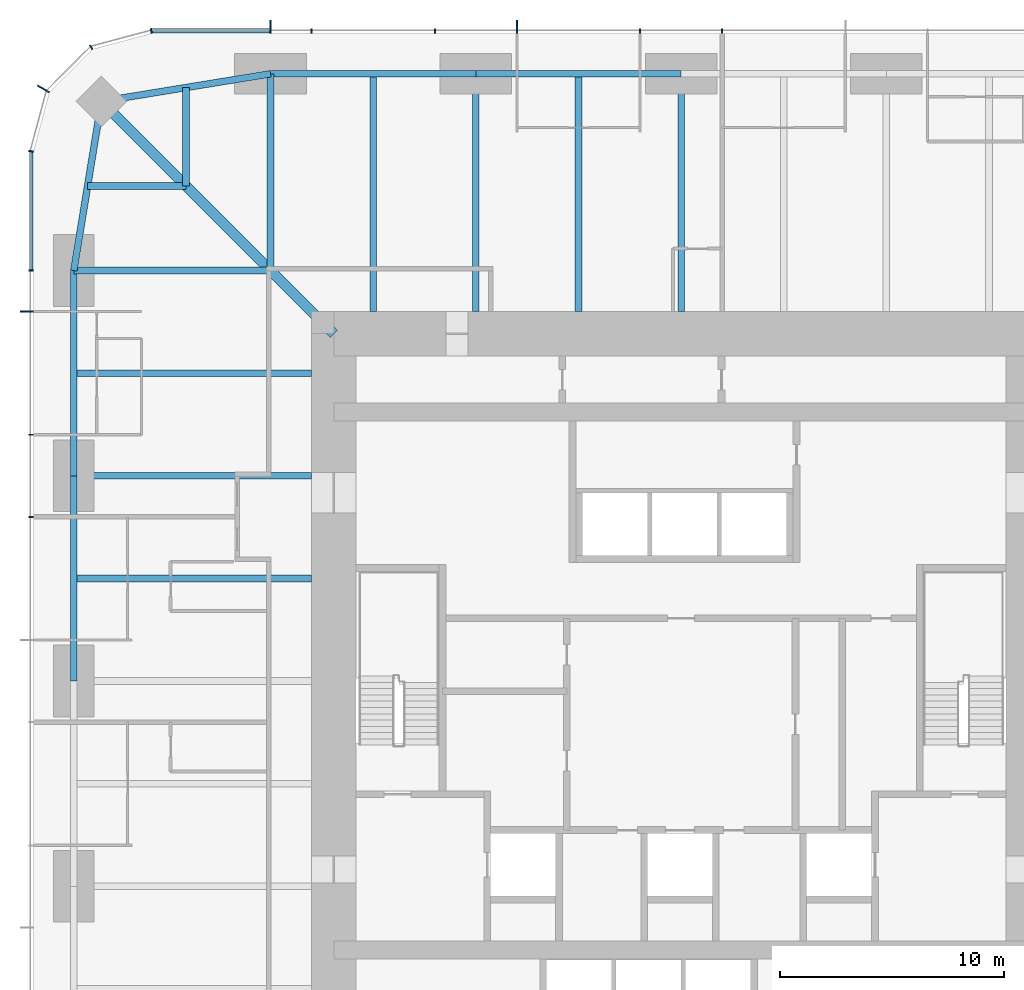
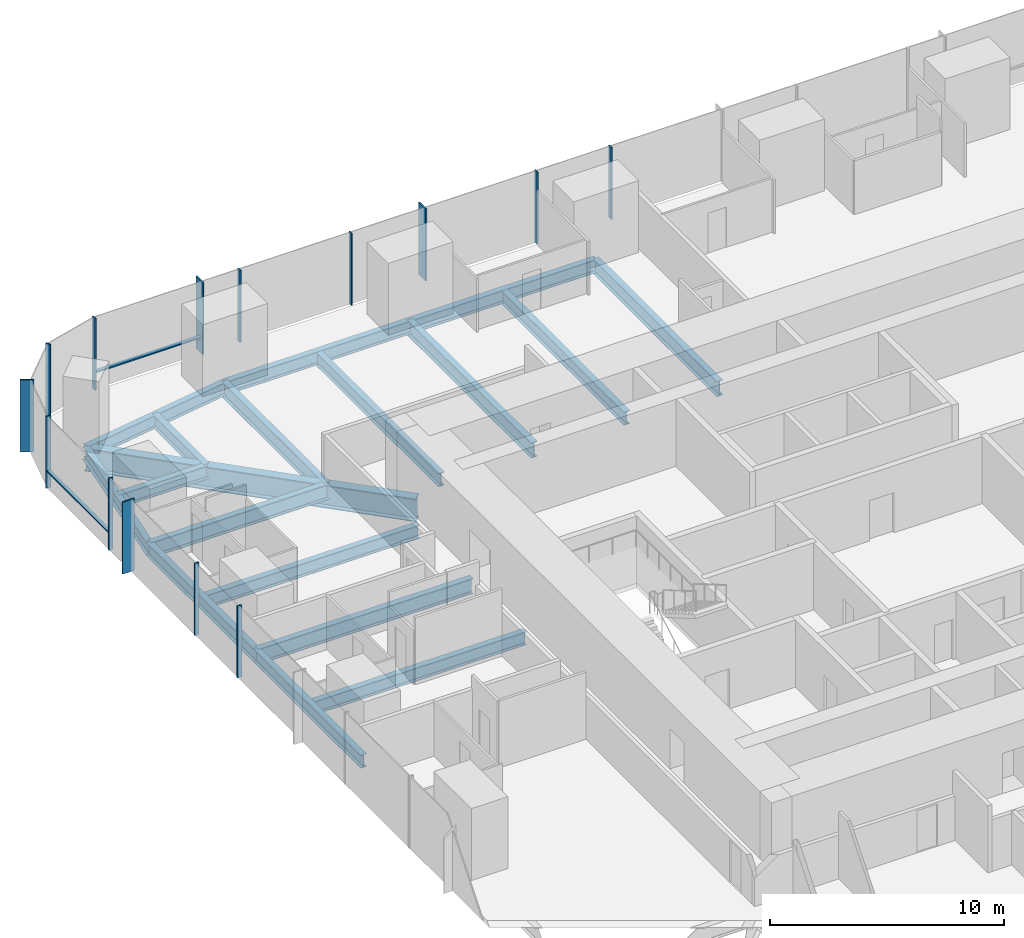
# One storey, part 5 of 13: 18 beams, 16 members, 3 elements without a shape of their own.
"""IFC4 building model written with IfcOpenShell, lengths in metres."""

from ifc_helpers import new_model, si_unit, direction, frame, origin, origin_2d, place, context, subcontext, project, spatial, rectangle, i_section, extrude, material, material_profile, profile_set, type_object, element, aggregate, save


model = new_model("IFC4")

# Units and contexts
model_context = context("Model", 3, precision=1e-05, world=origin(), true_north=direction((0.0, 1.0)))
body_context = subcontext(model_context, "Body", "Model", "MODEL_VIEW")
ifc_project = project(units=[si_unit("LENGTHUNIT", "METRE"), si_unit("AREAUNIT", "SQUARE_METRE"), si_unit("VOLUMEUNIT", "CUBIC_METRE"), si_unit("PLANEANGLEUNIT", "RADIAN"), si_unit("MASSUNIT", "GRAM", prefix="KILO")], contexts=[model_context])

# Site, building, storey
site_placement = place(None, origin())
site = spatial("IfcSite", under=ifc_project, at=site_placement, CompositionType="ELEMENT")
building_placement = place(site_placement, origin())
building = spatial("IfcBuilding", under=site, at=building_placement, Name="Khuree Lantern Residences", CompositionType="ELEMENT")
storey_placement = place(building_placement, frame((0.0, 0.0, 133.5)))
storey = spatial("IfcBuildingStorey", under=building, at=storey_placement, Name="L33", CompositionType="ELEMENT", Elevation=133.5)

# Beams
ifc_material_1 = material(Name="Steel S355", Category="steel")
ifc_material_profile_1 = material_profile(ifc_material_1, i_section(OverallWidth=0.300048828125, OverallDepth=0.68994140625, WebThickness=0.014404296875, FlangeThickness=0.027099609375, FilletRadius=0.027099609375, at=origin_2d()), Name="HE 700 A")
ifc_profile_set_1 = profile_set([ifc_material_profile_1], Name="Steel S355")
beam_type_1 = type_object("IfcBeamType", Name="B-22 SECONDARY BEAM HE 700 A", PredefinedType="BEAM", material=ifc_profile_set_1)
for number, where, z_axis, x_axis, name in (
    (1, (-13.739990234375, 27.10009765625, -0.594970703125), (0.0, -1.0, 0.0), (1.0, 0.0, 0.0), "Secondary beam N1"),
    (2, (-4.580078125, 27.10009765625, -0.594970703125), (0.0, -1.0, 0.0), (1.0, 0.0, 0.0), "Secondary beam N2"),
    (3, (-27.10009765625, 4.580078125, -0.594970703125), (1.0, 0.0, 0.0), (0.0, 1.0, 0.0), "Secondary beam W4"),
    (4, (-27.10009765625, 13.739990234375, -0.594970703125), (1.0, 0.0, 0.0), (0.0, 1.0, 0.0), "Secondary beam W5"),
):
    element("IfcBeam", number, at=place(storey_placement, frame(where, z_axis=z_axis, x_axis=x_axis)), inside=storey, type_object=beam_type_1, Name=name, PredefinedType="BEAM", context=body_context, shape_type="SweptSolid", body=[
        extrude(i_section(OverallWidth=0.300048828125, OverallDepth=0.68994140625, WebThickness=0.014404296875, FlangeThickness=0.027099609375, FilletRadius=0.027099609375, at=origin_2d()), origin(), (0.0, 0.0, 1.0), 10.60009765625),
    ])
for number, where, z_axis, x_axis, name in (
    (5, (-26.48486328125, 22.094970703125, -0.594970703125), (1.0, 0.0, 0.0), (0.0, 1.0, 0.0), "Secondary beam W6"),
    (6, (-22.094970703125, 26.48486328125, -0.594970703125), (0.0, -1.0, 0.0), (1.0, 0.0, 0.0), "Secondary beam N6"),
):
    element("IfcBeam", number, at=place(storey_placement, frame(where, z_axis=z_axis, x_axis=x_axis)), inside=storey, type_object=beam_type_1, Name=name, PredefinedType="BEAM", context=body_context, shape_type="SweptSolid", body=[
        extrude(i_section(OverallWidth=0.300048828125, OverallDepth=0.68994140625, WebThickness=0.014404296875, FlangeThickness=0.027099609375, FilletRadius=0.027099609375, at=origin_2d()), origin(), (0.0, 0.0, 1.0), 4.389892578125),
    ])
ifc_material_profile_2 = material_profile(ifc_material_1, i_section(OverallWidth=0.300048828125, OverallDepth=0.68994140625, WebThickness=0.014404296875, FlangeThickness=0.027099609375, FilletRadius=0.027099609375, at=origin_2d()), Name="HE 700 A")
ifc_profile_set_2 = profile_set([ifc_material_profile_2], Name="Steel S355")
beam_type_2 = type_object("IfcBeamType", Name="E-22 SPANDREL BEAM HE 700 A", PredefinedType="SPANDREL", material=ifc_profile_set_2)
beam_1_placement = place(storey_placement, frame((-18.320068359375, 27.10009765625, -0.594970703125), z_axis=(1.0, 0.0, 0.0), x_axis=(0.0, 1.0, 0.0)))
element("IfcBeam", 7, at=beam_1_placement, inside=storey, type_object=beam_type_2, Name="Spandrel beam N1", PredefinedType="SPANDREL", context=body_context, shape_type="SweptSolid", body=[
    extrude(i_section(OverallWidth=0.300048828125, OverallDepth=0.68994140625, WebThickness=0.014404296875, FlangeThickness=0.027099609375, FilletRadius=0.027099609375, at=origin_2d()), origin(), (0.0, 0.0, 1.0), 9.16015625),
])
for number, where, z_axis, x_axis, name in (
    (8, (-9.159912109375, 27.10009765625, -0.594970703125), (1.0, 0.0, 0.0), (0.0, 1.0, 0.0), "Spandrel beam N2"),
    (9, (-27.10009765625, 0.0, -0.594970703125), (0.0, 1.0, 0.0), (-1.0, 0.0, 0.0), "Spandrel beam W4"),
):
    element("IfcBeam", number, at=place(storey_placement, frame(where, z_axis=z_axis, x_axis=x_axis)), inside=storey, type_object=beam_type_2, Name=name, PredefinedType="SPANDREL", context=body_context, shape_type="SweptSolid", body=[
        extrude(i_section(OverallWidth=0.300048828125, OverallDepth=0.68994140625, WebThickness=0.014404296875, FlangeThickness=0.027099609375, FilletRadius=0.027099609375, at=origin_2d()), origin(), (0.0, 0.0, 1.0), 9.159912109375),
    ])
beam_2_placement = place(storey_placement, frame((-27.10009765625, 9.159912109375, -0.594970703125), z_axis=(0.0, 1.0, 0.0), x_axis=(-1.0, 0.0, 0.0)))
element("IfcBeam", 10, at=beam_2_placement, inside=storey, type_object=beam_type_2, Name="Spandrel beam W5", PredefinedType="SPANDREL", context=body_context, shape_type="SweptSolid", body=[
    extrude(i_section(OverallWidth=0.300048828125, OverallDepth=0.68994140625, WebThickness=0.014404296875, FlangeThickness=0.027099609375, FilletRadius=0.027099609375, at=origin_2d()), origin(), (0.0, 0.0, 1.0), 9.16015625),
])
for number, where, z_axis, x_axis, name in (
    (11, (-27.10009765625, 18.320068359375, -0.594970703125), (0.160826723833, 0.986982656839, 0.0), (-0.986982656839, 0.160826723833, 0.0), "Spandrel beam W6"),
    (12, (-25.869873046875, 25.869873046875, -0.594970703125), (0.986982656839, 0.160826723833, 0.0), (-0.160826723833, 0.986982656839, 0.0), "Spandrel beam N6"),
):
    element("IfcBeam", number, at=place(storey_placement, frame(where, z_axis=z_axis, x_axis=x_axis)), inside=storey, type_object=beam_type_2, Name=name, PredefinedType="SPANDREL", context=body_context, shape_type="SweptSolid", body=[
        extrude(i_section(OverallWidth=0.300048828125, OverallDepth=0.68994140625, WebThickness=0.014404296875, FlangeThickness=0.027099609375, FilletRadius=0.027099609375, at=origin_2d()), origin(), (0.0, 0.0, 1.0), 7.6494140625),
    ])

# Curtain wall, members
ifc_material_2 = material(Name="Bronze anodised aluminium", Category="aluminium")
curtain_wall_type_1 = type_object("IfcCurtainWallType", Name="CW-T1 TOWER FACE CURTAIN WALL", PredefinedType="USERDEFINED", material=ifc_material_2)
curtain_wall_1_placement = place(storey_placement, origin())
curtain_wall_1 = element("IfcCurtainWall", 13, at=curtain_wall_1_placement, inside=storey, type_object=curtain_wall_type_1, Name="L33 NORTH FACE CURTAIN WALL", ObjectType="Stick-built curtain wall", PredefinedType="USERDEFINED")
ifc_material_profile_3 = material_profile(ifc_material_2, rectangle(XDim=0.06494140625, YDim=0.60009765625, at=origin_2d()), Name="F1 65X600")
ifc_profile_set_3 = profile_set([ifc_material_profile_3], Name="Bronze anodised aluminium")
member_type_1 = type_object("IfcMemberType", Name="F1 BRONZE FIN MULLION TOWER 65X600", PredefinedType="MULLION", material=ifc_profile_set_3)
member_1_placement = place(storey_placement, frame((-7.327880859375, 29.199951171875, 0.0), z_axis=(0.0, 0.0, 1.0), x_axis=(-1.0, 0.0, 0.0)))
member_1 = element("IfcMember", 14, at=member_1_placement, type_object=member_type_1, Name="L33 NORTH FACE FIN MULLION 25", PredefinedType="MULLION", context=body_context, shape_type="SweptSolid", body=[
    extrude(rectangle(XDim=0.06494140625, YDim=0.60009765625, at=origin_2d()), origin(), (0.0, 0.0, 1.0), 3.75),
])
member_2_placement = place(storey_placement, frame((-18.320068359375, 29.199951171875, 0.0), z_axis=(0.0, 0.0, 1.0), x_axis=(-1.0, 0.0, 0.0)))
member_2 = element("IfcMember", 15, at=member_2_placement, type_object=member_type_1, Name="L33 NORTH FACE FIN MULLION 28", PredefinedType="MULLION", context=body_context, shape_type="SweptSolid", body=[
    extrude(rectangle(XDim=0.06494140625, YDim=0.60009765625, at=origin_2d()), origin(), (0.0, 0.0, 1.0), 3.75),
])

# Curtain wall, member
curtain_wall_type_2 = type_object("IfcCurtainWallType", Name="CW-T2 TOWER CORNER CURTAIN WALL", PredefinedType="USERDEFINED", material=ifc_material_2)
curtain_wall_2_placement = place(storey_placement, origin())
curtain_wall_2 = element("IfcCurtainWall", 16, at=curtain_wall_2_placement, inside=storey, type_object=curtain_wall_type_2, Name="L33 NORTH-WEST CORNER CURTAIN WALL", ObjectType="Faceted corner curtain wall", PredefinedType="USERDEFINED")
member_3_placement = place(storey_placement, frame((-28.45654296875, 26.425048828125, 0.0), z_axis=(0.0, 0.0, 1.0), x_axis=(-0.500000026995, -0.866025388199, 0.0)))
member_3 = element("IfcMember", 17, at=member_3_placement, type_object=member_type_1, Name="L33 NORTH-WEST CORNER FIN MULLION 31", PredefinedType="MULLION", context=body_context, shape_type="SweptSolid", body=[
    extrude(rectangle(XDim=0.06494140625, YDim=0.60009765625, at=origin_2d()), origin(), (0.0, 0.0, 1.0), 3.75),
])

curtain_wall_3_placement = place(storey_placement, origin())
curtain_wall_3 = element("IfcCurtainWall", 18, at=curtain_wall_3_placement, inside=storey, type_object=curtain_wall_type_1, Name="L33 WEST FACE CURTAIN WALL", ObjectType="Stick-built curtain wall", PredefinedType="USERDEFINED")
member_4_placement = place(storey_placement, frame((-29.199951171875, 16.488037109375, 0.0), z_axis=(0.0, 0.0, 1.0), x_axis=(0.0, -1.0, 0.0)))
member_4 = element("IfcMember", 19, at=member_4_placement, type_object=member_type_1, Name="L33 WEST FACE FIN MULLION 34", PredefinedType="MULLION", context=body_context, shape_type="SweptSolid", body=[
    extrude(rectangle(XDim=0.06494140625, YDim=0.60009765625, at=origin_2d()), origin(), (0.0, 0.0, 1.0), 3.75),
])

# Beams
ifc_material_profile_4 = material_profile(ifc_material_1, i_section(OverallWidth=0.300048828125, OverallDepth=0.800048828125, WebThickness=0.017578125, FlangeThickness=0.032958984375, FilletRadius=0.030029296875, at=origin_2d()), Name="HE 800 B")
ifc_profile_set_4 = profile_set([ifc_material_profile_4], Name="Steel S355")
beam_type_3 = type_object("IfcBeamType", Name="G-22 GIRDER HE 800 B", PredefinedType="BEAM", material=ifc_profile_set_4)
beam_3_placement = place(storey_placement, frame((-18.320068359375, 27.10009765625, -0.64990234375), z_axis=(0.0, -1.0, 0.0), x_axis=(1.0, 0.0, 0.0)))
element("IfcBeam", 20, at=beam_3_placement, inside=storey, type_object=beam_type_3, Name="Girder N1", PredefinedType="BEAM", context=body_context, shape_type="SweptSolid", body=[
    extrude(i_section(OverallWidth=0.300048828125, OverallDepth=0.800048828125, WebThickness=0.017578125, FlangeThickness=0.032958984375, FilletRadius=0.030029296875, at=origin_2d()), origin(), (0.0, 0.0, 1.0), 8.780029296875),
])
for number, where, z_axis, x_axis, name in (
    (21, (-9.159912109375, 27.10009765625, -0.64990234375), (0.0, -1.0, 0.0), (1.0, 0.0, 0.0), "Girder N2"),
    (22, (0.0, 27.10009765625, -0.64990234375), (0.0, -1.0, 0.0), (1.0, 0.0, 0.0), "Girder N3"),
    (23, (-27.10009765625, 9.159912109375, -0.64990234375), (1.0, 0.0, 0.0), (0.0, 1.0, 0.0), "Girder W4"),
):
    element("IfcBeam", number, at=place(storey_placement, frame(where, z_axis=z_axis, x_axis=x_axis)), inside=storey, type_object=beam_type_3, Name=name, PredefinedType="BEAM", context=body_context, shape_type="SweptSolid", body=[
        extrude(i_section(OverallWidth=0.300048828125, OverallDepth=0.800048828125, WebThickness=0.017578125, FlangeThickness=0.032958984375, FilletRadius=0.030029296875, at=origin_2d()), origin(), (0.0, 0.0, 1.0), 10.60009765625),
    ])
beam_4_placement = place(storey_placement, frame((-27.10009765625, 18.320068359375, -0.64990234375), z_axis=(1.0, 0.0, 0.0), x_axis=(0.0, 1.0, 0.0)))
element("IfcBeam", 24, at=beam_4_placement, inside=storey, type_object=beam_type_3, Name="Girder W5", PredefinedType="BEAM", context=body_context, shape_type="SweptSolid", body=[
    extrude(i_section(OverallWidth=0.300048828125, OverallDepth=0.800048828125, WebThickness=0.017578125, FlangeThickness=0.032958984375, FilletRadius=0.030029296875, at=origin_2d()), origin(), (0.0, 0.0, 1.0), 8.780029296875),
])
ifc_material_profile_5 = material_profile(ifc_material_1, i_section(OverallWidth=0.449951171875, OverallDepth=1.199951171875, WebThickness=0.02490234375, FlangeThickness=0.044921875, at=origin_2d()), Name="WELDED I 1200X450X25X45")
ifc_profile_set_5 = profile_set([ifc_material_profile_5], Name="Steel S355")
beam_type_4 = type_object("IfcBeamType", Name="GD-22 CORNER GIRDER WELDED I 1200X450X25X45", PredefinedType="BEAM", material=ifc_profile_set_5)
beam_5_placement = place(storey_placement, frame((-25.869873046875, 25.869873046875, -0.85009765625), z_axis=(0.707106781187, -0.707106781187, 0.0), x_axis=(0.707106781187, 0.707106781187, 0.0)))
element("IfcBeam", 25, at=beam_5_placement, inside=storey, type_object=beam_type_4, Name="Corner girder NW", PredefinedType="BEAM", context=body_context, shape_type="SweptSolid", body=[
    extrude(i_section(OverallWidth=0.449951171875, OverallDepth=1.199951171875, WebThickness=0.02490234375, FlangeThickness=0.044921875, at=origin_2d()), origin(), (0.0, 0.0, 1.0), 14.665283203125),
])

# Member
ifc_material_profile_6 = material_profile(ifc_material_2, rectangle(XDim=0.06494140625, YDim=0.219970703125, at=origin_2d()), Name="M1 65X220")
ifc_profile_set_6 = profile_set([ifc_material_profile_6], Name="Bronze anodised aluminium")
member_type_2 = type_object("IfcMemberType", Name="M1 BRONZE MULLION TOWER 65X220", PredefinedType="MULLION", material=ifc_profile_set_6)
member_5_placement = place(storey_placement, frame((1.83203125, 29.010009765625, 0.0), z_axis=(0.0, 0.0, 1.0), x_axis=(-1.0, 0.0, 0.0)))
member_5 = element("IfcMember", 26, at=member_5_placement, type_object=member_type_2, Name="L33 NORTH FACE MULLION 23", PredefinedType="MULLION", context=body_context, shape_type="SweptSolid", body=[
    extrude(rectangle(XDim=0.06494140625, YDim=0.219970703125, at=origin_2d()), origin(), (0.0, 0.0, 1.0), 3.75),
])

member_6_placement = place(storey_placement, frame((-1.83203125, 29.010009765625, 0.0), z_axis=(0.0, 0.0, 1.0), x_axis=(-1.0, 0.0, 0.0)))
member_6 = element("IfcMember", 27, at=member_6_placement, type_object=member_type_2, Name="L33 NORTH FACE MULLION 24", PredefinedType="MULLION", context=body_context, shape_type="SweptSolid", body=[
    extrude(rectangle(XDim=0.06494140625, YDim=0.219970703125, at=origin_2d()), origin(), (0.0, 0.0, 1.0), 3.75),
])

member_7_placement = place(storey_placement, frame((-10.991943359375, 29.010009765625, 0.0), z_axis=(0.0, 0.0, 1.0), x_axis=(-1.0, 0.0, 0.0)))
member_7 = element("IfcMember", 28, at=member_7_placement, type_object=member_type_2, Name="L33 NORTH FACE MULLION 26", PredefinedType="MULLION", context=body_context, shape_type="SweptSolid", body=[
    extrude(rectangle(XDim=0.06494140625, YDim=0.219970703125, at=origin_2d()), origin(), (0.0, 0.0, 1.0), 3.75),
])

member_8_placement = place(storey_placement, frame((-16.488037109375, 29.010009765625, 0.0), z_axis=(0.0, 0.0, 1.0), x_axis=(-1.0, 0.0, 0.0)))
member_8 = element("IfcMember", 29, at=member_8_placement, type_object=member_type_2, Name="L33 NORTH FACE MULLION 27", PredefinedType="MULLION", context=body_context, shape_type="SweptSolid", body=[
    extrude(rectangle(XDim=0.06494140625, YDim=0.219970703125, at=origin_2d()), origin(), (0.0, 0.0, 1.0), 3.75),
])

member_9_placement = place(storey_placement, frame((-23.64501953125, 29.01171875, 0.0), z_axis=(0.0, 0.0, 1.0), x_axis=(-0.991444857305, -0.130526223125, 0.0)))
member_9 = element("IfcMember", 30, at=member_9_placement, type_object=member_type_2, Name="L33 NORTH-WEST CORNER MULLION 29", PredefinedType="MULLION", context=body_context, shape_type="SweptSolid", body=[
    extrude(rectangle(XDim=0.06494140625, YDim=0.219970703125, at=origin_2d()), origin(), (0.0, 0.0, 1.0), 3.75),
])

member_10_placement = place(storey_placement, frame((-26.330078125, 28.2919921875, 0.0), z_axis=(0.0, 0.0, 1.0), x_axis=(-0.866025388199, -0.500000026995, 0.0)))
member_10 = element("IfcMember", 31, at=member_10_placement, type_object=member_type_2, Name="L33 NORTH-WEST CORNER MULLION 30", PredefinedType="MULLION", context=body_context, shape_type="SweptSolid", body=[
    extrude(rectangle(XDim=0.06494140625, YDim=0.219970703125, at=origin_2d()), origin(), (0.0, 0.0, 1.0), 3.75),
])

aggregate(curtain_wall_2, [member_9, member_10, member_3])

member_11_placement = place(storey_placement, frame((-29.01171875, 23.64501953125, 0.0), z_axis=(0.0, 0.0, 1.0), x_axis=(-0.130526223125, -0.991444857305, 0.0)))
member_11 = element("IfcMember", 32, at=member_11_placement, type_object=member_type_2, Name="L33 WEST FACE MULLION 32", PredefinedType="MULLION", context=body_context, shape_type="SweptSolid", body=[
    extrude(rectangle(XDim=0.06494140625, YDim=0.219970703125, at=origin_2d()), origin(), (0.0, 0.0, 1.0), 3.75),
])

member_12_placement = place(storey_placement, frame((-29.010009765625, 18.320068359375, 0.0), z_axis=(0.0, 0.0, 1.0), x_axis=(0.0, -1.0, 0.0)))
member_12 = element("IfcMember", 33, at=member_12_placement, type_object=member_type_2, Name="L33 WEST FACE MULLION 33", PredefinedType="MULLION", context=body_context, shape_type="SweptSolid", body=[
    extrude(rectangle(XDim=0.06494140625, YDim=0.219970703125, at=origin_2d()), origin(), (0.0, 0.0, 1.0), 3.75),
])

member_13_placement = place(storey_placement, frame((-29.010009765625, 10.991943359375, 0.0), z_axis=(0.0, 0.0, 1.0), x_axis=(0.0, -1.0, 0.0)))
member_13 = element("IfcMember", 34, at=member_13_placement, type_object=member_type_2, Name="L33 WEST FACE MULLION 35", PredefinedType="MULLION", context=body_context, shape_type="SweptSolid", body=[
    extrude(rectangle(XDim=0.06494140625, YDim=0.219970703125, at=origin_2d()), origin(), (0.0, 0.0, 1.0), 3.75),
])

member_14_placement = place(storey_placement, frame((-29.010009765625, 7.327880859375, 0.0), z_axis=(0.0, 0.0, 1.0), x_axis=(0.0, -1.0, 0.0)))
member_14 = element("IfcMember", 35, at=member_14_placement, type_object=member_type_2, Name="L33 WEST FACE MULLION 36", PredefinedType="MULLION", context=body_context, shape_type="SweptSolid", body=[
    extrude(rectangle(XDim=0.06494140625, YDim=0.219970703125, at=origin_2d()), origin(), (0.0, 0.0, 1.0), 3.75),
])

ifc_material_profile_7 = material_profile(ifc_material_2, rectangle(XDim=0.179931640625, YDim=0.06494140625, at=origin_2d()), Name="T1 180X65")
ifc_profile_set_7 = profile_set([ifc_material_profile_7], Name="Bronze anodised aluminium")
member_type_3 = type_object("IfcMemberType", Name="TRANSOM T1 TOWER 180X65", PredefinedType="USERDEFINED", material=ifc_profile_set_7)
member_15_placement = place(storey_placement, frame((-18.3525390625, 29.02001953125, 0.89990234375), z_axis=(-1.0, 0.0, 0.0), x_axis=(0.0, -1.0, 0.0)))
member_15 = element("IfcMember", 36, at=member_15_placement, type_object=member_type_3, Name="L33 NORTH FACE TRANSOM 28.1", ObjectType="Transom", PredefinedType="USERDEFINED", context=body_context, shape_type="SweptSolid", body=[
    extrude(rectangle(XDim=0.179931640625, YDim=0.06494140625, at=origin_2d()), origin(), (0.0, 0.0, 1.0), 5.248779296875),
])

aggregate(curtain_wall_1, [member_5, member_6, member_1, member_7, member_8, member_2, member_15])

member_16_placement = place(storey_placement, frame((-29.02001953125, 23.601318359375, 0.89990234375), z_axis=(0.0, -1.0, 0.0), x_axis=(1.0, 0.0, 0.0)))
member_16 = element("IfcMember", 37, at=member_16_placement, type_object=member_type_3, Name="L33 WEST FACE TRANSOM 32.1", ObjectType="Transom", PredefinedType="USERDEFINED", context=body_context, shape_type="SweptSolid", body=[
    extrude(rectangle(XDim=0.179931640625, YDim=0.06494140625, at=origin_2d()), origin(), (0.0, 0.0, 1.0), 5.248779296875),
])

aggregate(curtain_wall_3, [member_11, member_12, member_4, member_13, member_14, member_16])

save(model, "model.ifc")
